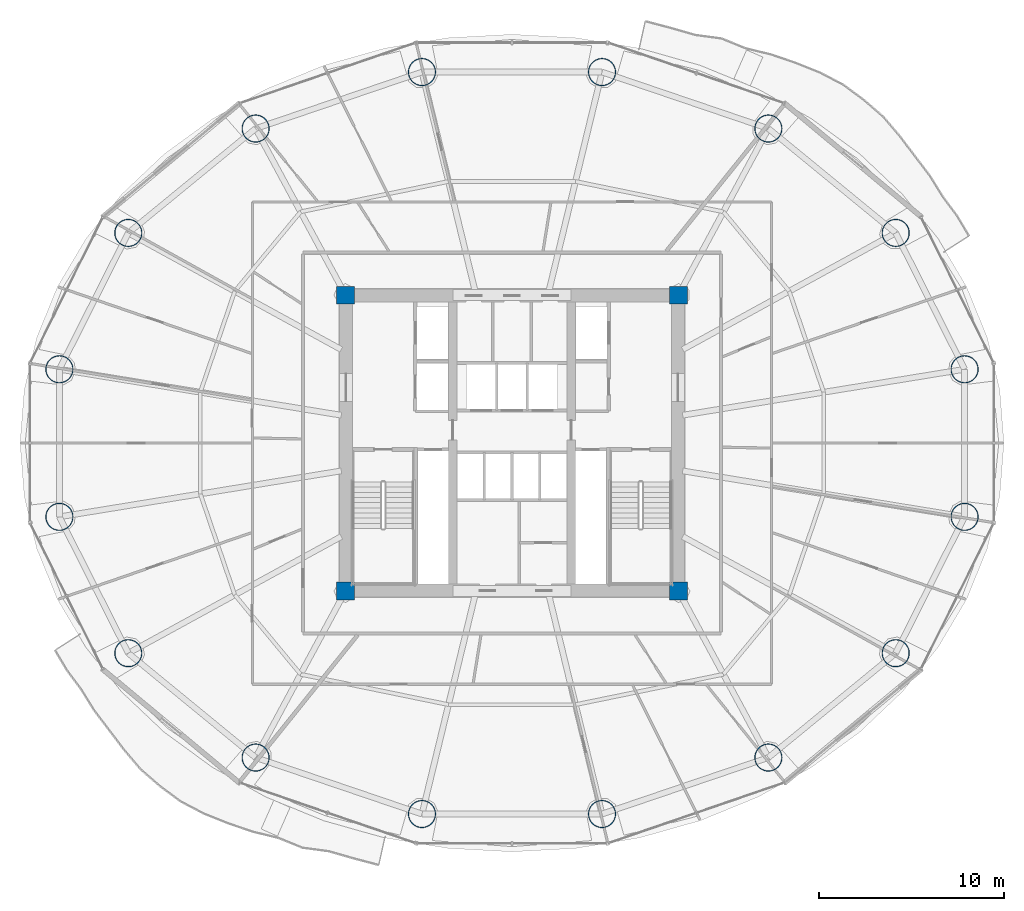
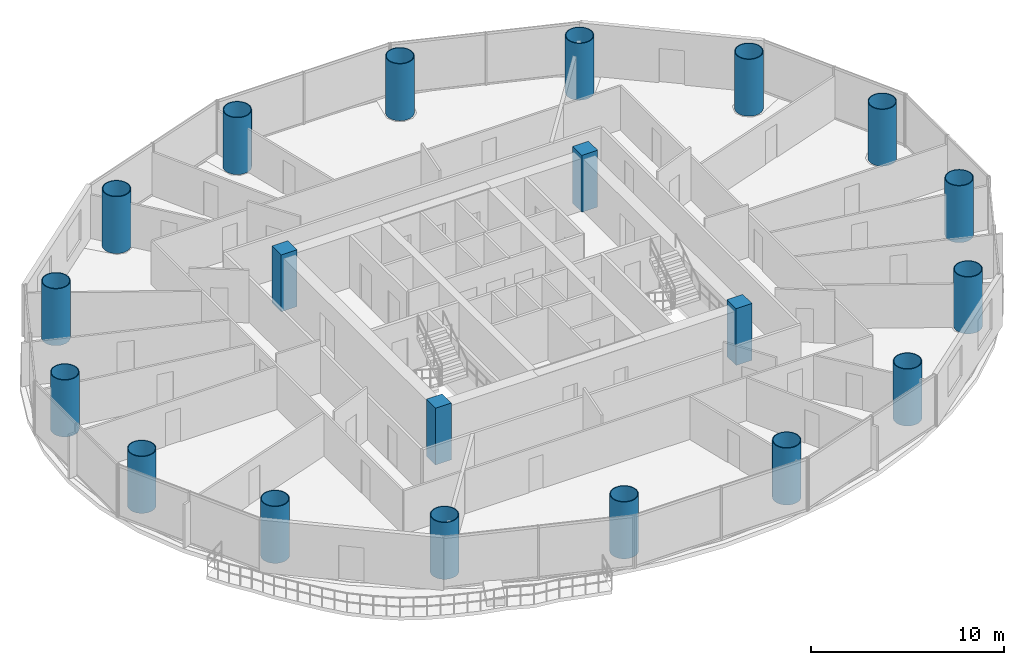
# One storey, part 1 of 29: 20 columns.
"""IFC4 building model written with IfcOpenShell, lengths in metres."""

from ifc_helpers import new_model, si_unit, direction, frame, origin, origin_2d, place, context, subcontext, project, spatial, rectangle, hollow_circle, extrude, material, material_profile, profile_set, type_object, element, save


model = new_model("IFC4")

# Units and contexts
model_context = context("Model", 3, precision=1e-05, world=origin(), true_north=direction((-0.2419218956, 0.970295726276)))
body_context = subcontext(model_context, "Body", "Model", "MODEL_VIEW")
ifc_project = project(units=[si_unit("LENGTHUNIT", "METRE"), si_unit("AREAUNIT", "SQUARE_METRE"), si_unit("VOLUMEUNIT", "CUBIC_METRE"), si_unit("PLANEANGLEUNIT", "RADIAN"), si_unit("MASSUNIT", "GRAM", prefix="KILO")], contexts=[model_context])

# Site, building, storey
site_placement = place(None, origin())
site = spatial("IfcSite", under=ifc_project, at=site_placement, CompositionType="ELEMENT")
building_placement = place(site_placement, origin())
building = spatial("IfcBuilding", under=site, at=building_placement, Name="Cobrevalo Terracotta Tower", CompositionType="ELEMENT")
storey_placement = place(building_placement, frame((0.0, 0.0, 112.199951171875)))
storey = spatial("IfcBuildingStorey", under=building, at=storey_placement, Name="L29", CompositionType="ELEMENT", Elevation=112.199951171875)

# Columns
ifc_material_1 = material(Name="Steel S355", Category="steel")
ifc_material_profile_1 = material_profile(ifc_material_1, hollow_circle(Radius=0.75, WallThickness=0.044921875, at=origin_2d()), Name="CHS 1500x45")
ifc_profile_set_1 = profile_set([ifc_material_profile_1], Name="Steel S355")
column_type_1 = type_object("IfcColumnType", Name="Structural Column CHS 1500x45 (Steel S355)", PredefinedType="COLUMN", material=ifc_profile_set_1)
for number, where, z_axis, x_axis, name in (
    (1, (62.470703125, 30.78955078125, 0.0), (0.0, 0.0, 1.0), (1.0, 0.0, 0.0), "L29 composite megacolumn MC01"),
    (2, (58.7451171875, 38.161376953125, 0.0), (0.0, 0.0, 1.0), (1.0, 0.0, 0.0), "L29 composite megacolumn MC02"),
    (3, (51.861572265625, 43.803466796875, 0.0), (0.0, 0.0, 1.0), (1.0, 0.0, 0.0), "L29 composite megacolumn MC03"),
    (4, (42.867431640625, 46.857177734375, 0.0), (0.0, 0.0, 1.0), (1.0, 0.0, 0.0), "L29 composite megacolumn MC04"),
    (5, (33.132568359375, 46.857177734375, 0.0), (0.0, 0.0, 1.0), (1.0, 0.0, 0.0), "L29 composite megacolumn MC05"),
    (6, (24.138427734375, 43.803466796875, 0.0), (0.0, 0.0, 1.0), (1.0, 0.0, 0.0), "L29 composite megacolumn MC06"),
    (7, (17.2548828125, 38.161376953125, 0.0), (0.0, 0.0, 1.0), (1.0, 0.0, 0.0), "L29 composite megacolumn MC07"),
    (8, (13.529296875, 30.78955078125, 0.0), (0.0, 0.0, 1.0), (1.0, 0.0, 0.0), "L29 composite megacolumn MC08"),
    (9, (13.529296875, 22.810302734375, 0.0), (0.0, 0.0, 1.0), (1.0, 0.0, 0.0), "L29 composite megacolumn MC09"),
    (10, (17.2548828125, 15.4384765625, 0.0), (0.0, 0.0, 1.0), (1.0, 0.0, 0.0), "L29 composite megacolumn MC10"),
    (11, (24.138427734375, 9.79638671875, 0.0), (0.0, 0.0, 1.0), (1.0, 0.0, 0.0), "L29 composite megacolumn MC11"),
    (12, (33.132568359375, 6.742919921875, 0.0), (0.0, 0.0, 1.0), (1.0, 0.0, 0.0), "L29 composite megacolumn MC12"),
    (13, (42.867431640625, 6.742919921875, 0.0), (0.0, 0.0, 1.0), (1.0, 0.0, 0.0), "L29 composite megacolumn MC13"),
    (14, (51.861572265625, 9.79638671875, 0.0), (0.0, 0.0, 1.0), (1.0, 0.0, 0.0), "L29 composite megacolumn MC14"),
    (15, (58.7451171875, 15.4384765625, 0.0), (0.0, 0.0, 1.0), (1.0, 0.0, 0.0), "L29 composite megacolumn MC15"),
    (16, (62.470703125, 22.810302734375, 0.0), (0.0, 0.0, 1.0), (1.0, 0.0, 0.0), "L29 composite megacolumn MC16"),
):
    element("IfcColumn", number, at=place(storey_placement, frame(where, z_axis=z_axis, x_axis=x_axis)), inside=storey, type_object=column_type_1, Name=name, PredefinedType="COLUMN", context=body_context, shape_type="SweptSolid", body=[
        extrude(hollow_circle(Radius=0.75, WallThickness=0.044921875, at=origin_2d()), origin(), (0.0, 0.0, 1.0), 3.60009765625),
    ])
ifc_material_2 = material(Name="Concrete C55", Category="concrete")
ifc_material_profile_2 = material_profile(ifc_material_2, rectangle(XDim=0.949951171875, YDim=0.949951171875, at=origin_2d()), Name="RC COL 950x950")
ifc_profile_set_2 = profile_set([ifc_material_profile_2], Name="Concrete C55")
column_type_2 = type_object("IfcColumnType", Name="Structural Column RC COL 950x950 (Concrete C55)", PredefinedType="COLUMN", material=ifc_profile_set_2)
for number, where, z_axis, x_axis, name in (
    (17, (29.0, 18.800048828125, 0.0), (0.0, 0.0, 1.0), (1.0, 0.0, 0.0), "L29 core corner column CC1"),
    (18, (47.0, 18.800048828125, 0.0), (0.0, 0.0, 1.0), (1.0, 0.0, 0.0), "L29 core corner column CC2"),
    (19, (47.0, 34.800048828125, 0.0), (0.0, 0.0, 1.0), (1.0, 0.0, 0.0), "L29 core corner column CC3"),
    (20, (29.0, 34.800048828125, 0.0), (0.0, 0.0, 1.0), (1.0, 0.0, 0.0), "L29 core corner column CC4"),
):
    element("IfcColumn", number, at=place(storey_placement, frame(where, z_axis=z_axis, x_axis=x_axis)), inside=storey, type_object=column_type_2, Name=name, PredefinedType="COLUMN", context=body_context, shape_type="SweptSolid", body=[
        extrude(rectangle(XDim=0.949951171875, YDim=0.949951171875, at=origin_2d()), origin(), (0.0, 0.0, 1.0), 3.60009765625),
    ])

save(model, "model.ifc")
